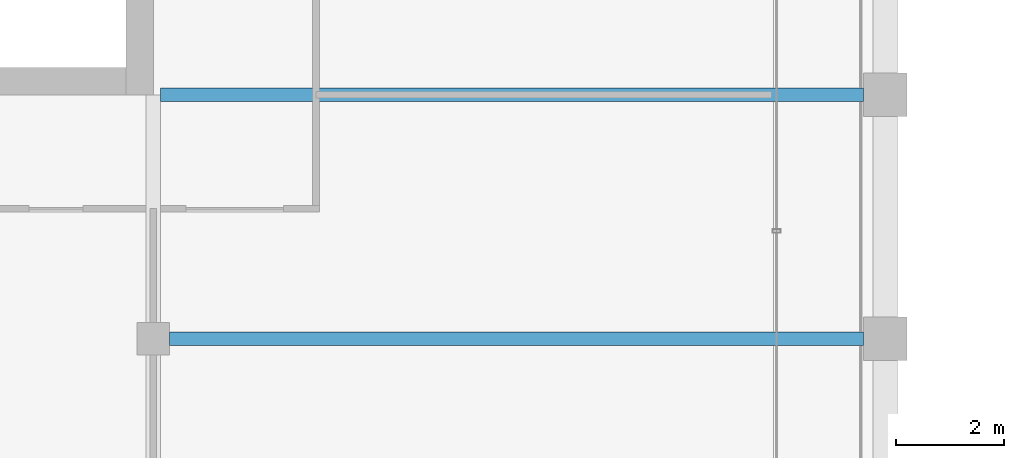
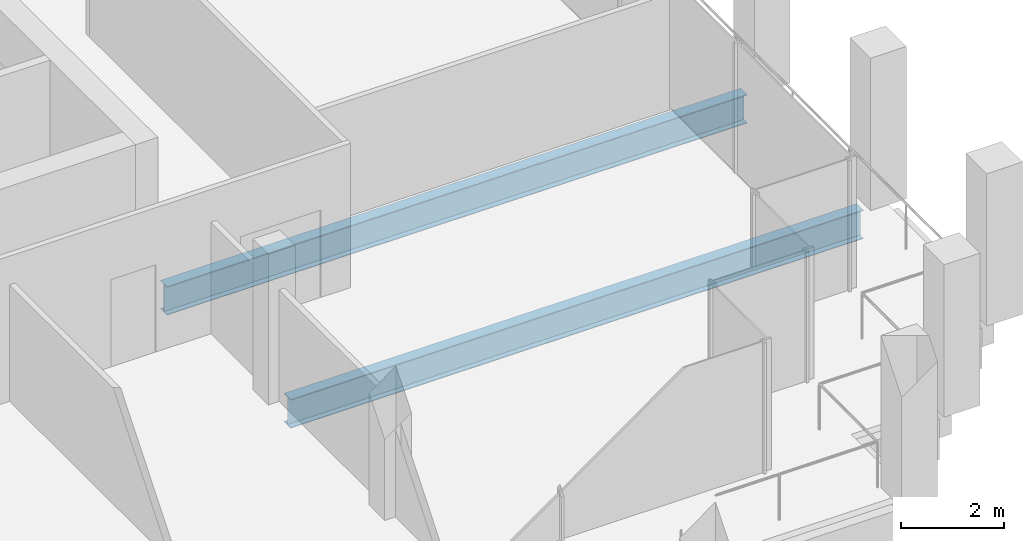
# One storey, part 14 of 40: 2 beams.
"""IFC4 building model written with IfcOpenShell, lengths in metres."""

from ifc_helpers import new_model, si_unit, direction, frame, origin, origin_2d, place, context, subcontext, project, spatial, i_section, extrude, material, material_profile, profile_set, type_object, element, save


model = new_model("IFC4")

# Units and contexts
model_context = context("Model", 3, precision=1e-05, world=origin(), true_north=direction((0.0, 1.0)))
body_context = subcontext(model_context, "Body", "Model", "MODEL_VIEW")
ifc_project = project(units=[si_unit("LENGTHUNIT", "METRE"), si_unit("AREAUNIT", "SQUARE_METRE"), si_unit("VOLUMEUNIT", "CUBIC_METRE"), si_unit("PLANEANGLEUNIT", "RADIAN"), si_unit("MASSUNIT", "GRAM", prefix="KILO")], contexts=[model_context])

# Site, building, storey
site_placement = place(None, origin())
site = spatial("IfcSite", under=ifc_project, at=site_placement, CompositionType="ELEMENT")
building_placement = place(site_placement, origin())
building = spatial("IfcBuilding", under=site, at=building_placement, Name="Altepetl Exchange Towers", CompositionType="ELEMENT")
storey_placement = place(building_placement, frame((0.0, 0.0, 199.199951171875)))
storey = spatial("IfcBuildingStorey", under=building, at=storey_placement, Name="L50", CompositionType="ELEMENT", Elevation=199.199951171875)

# Beams
ifc_material = material(Name="Steel S355", Category="steel")
ifc_material_profile = material_profile(ifc_material, i_section(OverallWidth=0.2529296875, OverallDepth=0.677978515625, WebThickness=0.01171875, FlangeThickness=0.016357421875, at=origin_2d()), Name="W27X84")
ifc_profile_set = profile_set([ifc_material_profile], Name="Steel S355")
beam_type = type_object("IfcBeamType", Name="Floor beam W27X84", PredefinedType="BEAM", material=ifc_profile_set)
beam_1_placement = place(storey_placement, frame((58.800048828125, 36.0, -0.489013671875), z_axis=(1.0, 0.0, 0.0), x_axis=(0.0, 1.0, 0.0)))
element("IfcBeam", 1, at=beam_1_placement, inside=storey, type_object=beam_type, Name="bm:A:L50:007", PredefinedType="BEAM", context=body_context, shape_type="SweptSolid", body=[
    extrude(i_section(OverallWidth=0.2529296875, OverallDepth=0.677978515625, WebThickness=0.01171875, FlangeThickness=0.016357421875, at=origin_2d()), origin(), (0.0, 0.0, 1.0), 12.800048828125),
])
beam_2_placement = place(storey_placement, frame((58.634033203125, 40.5, -0.489013671875), z_axis=(1.0, 0.0, 0.0), x_axis=(0.0, 1.0, 0.0)))
element("IfcBeam", 2, at=beam_2_placement, inside=storey, type_object=beam_type, Name="bm:A:L50:008", PredefinedType="BEAM", context=body_context, shape_type="SweptSolid", body=[
    extrude(i_section(OverallWidth=0.2529296875, OverallDepth=0.677978515625, WebThickness=0.01171875, FlangeThickness=0.016357421875, at=origin_2d()), origin(), (0.0, 0.0, 1.0), 12.966064453125),
])

save(model, "model.ifc")
